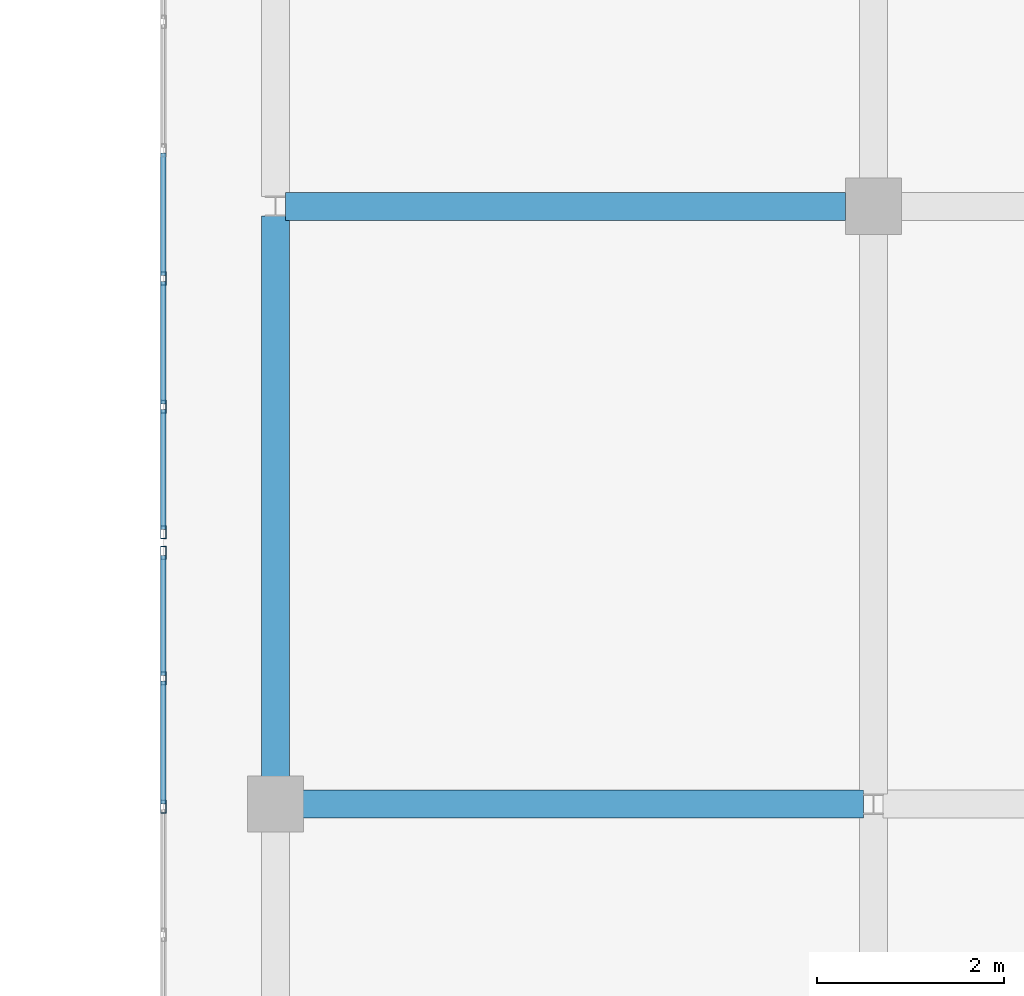
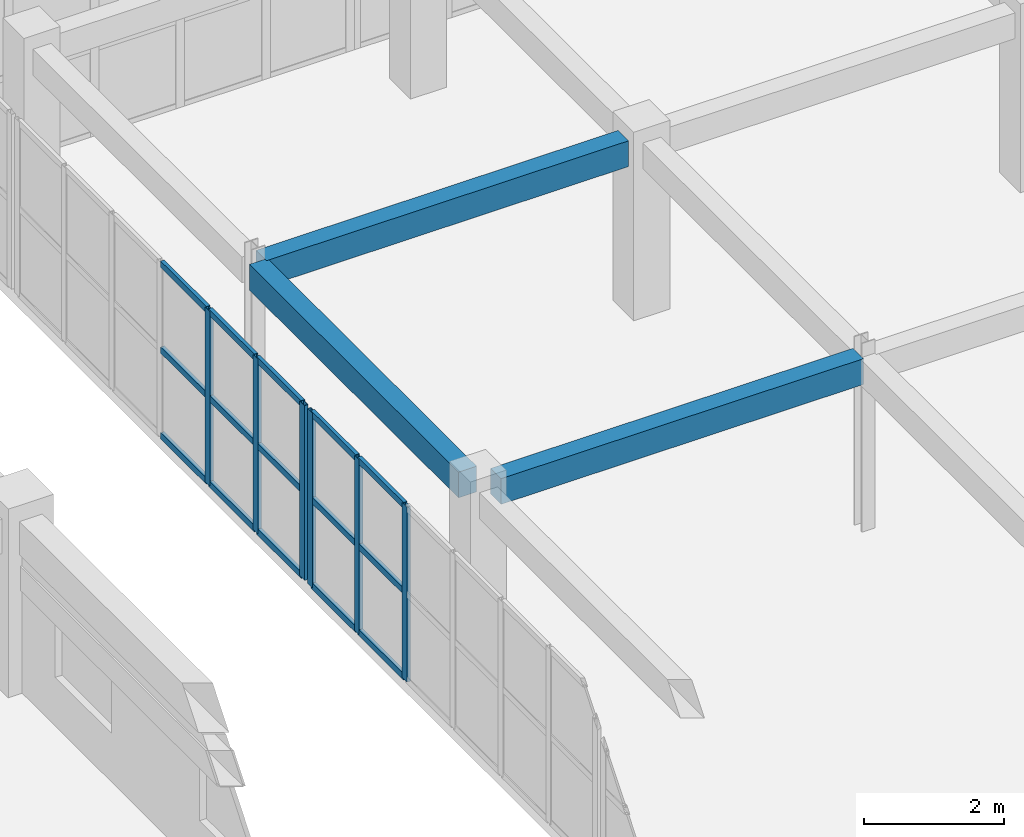
# One storey, part 83 of 200: 21 members, 3 beams, 2 elements without a shape of their own.
"""IFC4 building model written with IfcOpenShell, lengths in metres."""

from ifc_helpers import new_model, si_unit, direction, frame, origin, origin_2d, place, context, subcontext, project, spatial, rectangle, hollow_rectangle, extrude, material, layer, layer_set, material_profile, profile_set, type_object, element, aggregate, save


model = new_model("IFC4")

# Units and contexts
model_context = context("Model", 3, precision=1e-05, world=origin(), true_north=direction((0.0, 1.0)))
body_context = subcontext(model_context, "Body", "Model", "MODEL_VIEW")
ifc_project = project(units=[si_unit("LENGTHUNIT", "METRE"), si_unit("AREAUNIT", "SQUARE_METRE"), si_unit("VOLUMEUNIT", "CUBIC_METRE"), si_unit("PLANEANGLEUNIT", "RADIAN"), si_unit("MASSUNIT", "GRAM", prefix="KILO")], contexts=[model_context])

# Site, building, storey
site_placement = place(None, origin())
site = spatial("IfcSite", under=ifc_project, at=site_placement, CompositionType="ELEMENT")
building_placement = place(site_placement, origin())
building = spatial("IfcBuilding", under=site, at=building_placement, Name="Trelvath General Hospital", CompositionType="ELEMENT")
storey_placement = place(building_placement, frame((0.0, 0.0, 4.800048828125)))
storey = spatial("IfcBuildingStorey", under=building, at=storey_placement, Name="L01", CompositionType="ELEMENT", Elevation=4.800048828125)

# Beams
ifc_material_1 = material(Name="Concrete C35/45", Category="concrete")
ifc_material_profile_1 = material_profile(ifc_material_1, rectangle(XDim=0.300048828125, YDim=0.449951171875, at=origin_2d()), Name="RCB300x450")
ifc_profile_set_1 = profile_set([ifc_material_profile_1], Name="Concrete C35/45")
beam_type = type_object("IfcBeamType", Name="Beam RC300x450", PredefinedType="BEAM", material=ifc_profile_set_1)
for number, where, z_axis, x_axis, name in (
    (1, (48.2958984375, 72.800048828125, 2.8349609375), (1.0, 0.0, 0.0), (0.0, 1.0, 0.0), "Cube Interior Ring Beam CUBE-W-T0 L01"),
    (2, (48.10595703125, 79.199951171875, 2.8349609375), (1.0, 0.0, 0.0), (0.0, 1.0, 0.0), "Cube Interior Ring Beam CUBE-W-T0 L01"),
    (3, (48.0, 73.095947265625, 2.8349609375), (0.0, 1.0, 0.0), (-1.0, 0.0, 0.0), "Cube Interior Ring Beam CUBE-W-T0 L01"),
):
    element("IfcBeam", number, at=place(storey_placement, frame(where, z_axis=z_axis, x_axis=x_axis)), inside=storey, type_object=beam_type, Name=name, PredefinedType="BEAM", context=body_context, shape_type="SweptSolid", body=[
        extrude(rectangle(XDim=0.300048828125, YDim=0.449951171875, at=origin_2d()), origin(), (0.0, 0.0, 1.0), 5.998046875),
    ])

# Curtain wall, members
ifc_material_2 = material(Name="Anodised aluminium and low-E glass", Category="aluminium")
ifc_layer = layer(ifc_material_2, 0.14990234375)
ifc_layer_set = layer_set([ifc_layer], Name="Anodised aluminium and low-E glass")
curtain_wall_type = type_object("IfcCurtainWallType", Name="CW CrystalCube 824 306 15", PredefinedType="USERDEFINED", material=ifc_layer_set)
curtain_wall_1_placement = place(storey_placement, origin())
curtain_wall_1 = element("IfcCurtainWall", 4, at=curtain_wall_1_placement, inside=storey, type_object=curtain_wall_type, Name="Crystal Cube Curtain Wall CUBE-W-T0 W5 L01", ObjectType="Unitised Glazed Curtain Wall", PredefinedType="USERDEFINED")
ifc_material_3 = material(Name="Anodised aluminium", Category="aluminium")
ifc_material_profile_2 = material_profile(ifc_material_3, hollow_rectangle(XDim=0.06005859375, YDim=0.139892578125, WallThickness=0.00390625, at=origin_2d()), Name="RHS60x140x4")
ifc_profile_set_2 = profile_set([ifc_material_profile_2], Name="Anodised aluminium")
member_type_1 = type_object("IfcMemberType", Name="CurtainMullion 60x140", PredefinedType="MULLION", material=ifc_profile_set_2)
member_1_placement = place(storey_placement, frame((46.800048828125, 72.7734375, 0.0), z_axis=(0.0, 0.0, 1.0), x_axis=(-1.0, 0.0, 0.0)))
member_1 = element("IfcMember", 5, at=member_1_placement, type_object=member_type_1, Name="CW-144 mullion 5", PredefinedType="MULLION", context=body_context, shape_type="SweptSolid", body=[
    extrude(hollow_rectangle(XDim=0.06005859375, YDim=0.139892578125, WallThickness=0.00390625, at=origin_2d()), origin(), (0.0, 0.0, 1.0), 3.06005859375),
])
member_2_placement = place(storey_placement, frame((46.800048828125, 74.146728515625, 0.0), z_axis=(0.0, 0.0, 1.0), x_axis=(-1.0, 0.0, 0.0)))
member_2 = element("IfcMember", 6, at=member_2_placement, type_object=member_type_1, Name="CW-144 mullion 6", PredefinedType="MULLION", context=body_context, shape_type="SweptSolid", body=[
    extrude(hollow_rectangle(XDim=0.06005859375, YDim=0.139892578125, WallThickness=0.00390625, at=origin_2d()), origin(), (0.0, 0.0, 1.0), 3.06005859375),
])
member_3_placement = place(storey_placement, frame((46.800048828125, 75.489990234375, 0.0), z_axis=(0.0, 0.0, 1.0), x_axis=(-1.0, 0.0, 0.0)))
member_3 = element("IfcMember", 7, at=member_3_placement, type_object=member_type_1, Name="CW-144 mullion 7", PredefinedType="MULLION", context=body_context, shape_type="SweptSolid", body=[
    extrude(hollow_rectangle(XDim=0.06005859375, YDim=0.139892578125, WallThickness=0.00390625, at=origin_2d()), origin(), (0.0, 0.0, 1.0), 3.06005859375),
])

curtain_wall_2_placement = place(storey_placement, origin())
curtain_wall_2 = element("IfcCurtainWall", 8, at=curtain_wall_2_placement, inside=storey, type_object=curtain_wall_type, Name="Crystal Cube Curtain Wall CUBE-W-T0 W6 L01", ObjectType="Unitised Glazed Curtain Wall", PredefinedType="USERDEFINED")
member_4_placement = place(storey_placement, frame((46.800048828125, 75.7099609375, 0.0), z_axis=(0.0, 0.0, 1.0), x_axis=(-1.0, 0.0, 0.0)))
member_4 = element("IfcMember", 9, at=member_4_placement, type_object=member_type_1, Name="CW-146 mullion 1", PredefinedType="MULLION", context=body_context, shape_type="SweptSolid", body=[
    extrude(hollow_rectangle(XDim=0.06005859375, YDim=0.139892578125, WallThickness=0.00390625, at=origin_2d()), origin(), (0.0, 0.0, 1.0), 3.06005859375),
])
member_5_placement = place(storey_placement, frame((46.800048828125, 77.05322265625, 0.0), z_axis=(0.0, 0.0, 1.0), x_axis=(-1.0, 0.0, 0.0)))
member_5 = element("IfcMember", 10, at=member_5_placement, type_object=member_type_1, Name="CW-146 mullion 2", PredefinedType="MULLION", context=body_context, shape_type="SweptSolid", body=[
    extrude(hollow_rectangle(XDim=0.06005859375, YDim=0.139892578125, WallThickness=0.00390625, at=origin_2d()), origin(), (0.0, 0.0, 1.0), 3.06005859375),
])
member_6_placement = place(storey_placement, frame((46.800048828125, 78.4267578125, 0.0), z_axis=(0.0, 0.0, 1.0), x_axis=(-1.0, 0.0, 0.0)))
member_6 = element("IfcMember", 11, at=member_6_placement, type_object=member_type_1, Name="CW-146 mullion 3", PredefinedType="MULLION", context=body_context, shape_type="SweptSolid", body=[
    extrude(hollow_rectangle(XDim=0.06005859375, YDim=0.139892578125, WallThickness=0.00390625, at=origin_2d()), origin(), (0.0, 0.0, 1.0), 3.06005859375),
])

# Member
ifc_material_4 = material(Name="Anodised aluminium", Category="aluminium")
ifc_material_profile_3 = material_profile(ifc_material_4, hollow_rectangle(XDim=0.06005859375, YDim=0.110107421875, WallThickness=0.00390625, at=origin_2d()), Name="RHS60x110x4")
ifc_profile_set_3 = profile_set([ifc_material_profile_3], Name="Anodised aluminium")
member_type_2 = type_object("IfcMemberType", Name="CurtainTransom 60x110", PredefinedType="USERDEFINED", material=ifc_profile_set_3)
member_7_placement = place(storey_placement, frame((46.800048828125, 72.80322265625, 0.030029296875), z_axis=(0.0, 1.0, 0.0), x_axis=(-1.0, 0.0, 0.0)))
member_7 = element("IfcMember", 12, at=member_7_placement, type_object=member_type_2, Name="CW-144 transom 5.1", ObjectType="TRANSOM", PredefinedType="USERDEFINED", context=body_context, shape_type="SweptSolid", body=[
    extrude(hollow_rectangle(XDim=0.06005859375, YDim=0.110107421875, WallThickness=0.00390625, at=origin_2d()), origin(), (0.0, 0.0, 1.0), 1.3134765625),
])

member_8_placement = place(storey_placement, frame((46.800048828125, 72.80322265625, 1.530029296875), z_axis=(0.0, 1.0, 0.0), x_axis=(-1.0, 0.0, 0.0)))
member_8 = element("IfcMember", 13, at=member_8_placement, type_object=member_type_2, Name="CW-144 transom 5.2", ObjectType="TRANSOM", PredefinedType="USERDEFINED", context=body_context, shape_type="SweptSolid", body=[
    extrude(hollow_rectangle(XDim=0.06005859375, YDim=0.110107421875, WallThickness=0.00390625, at=origin_2d()), origin(), (0.0, 0.0, 1.0), 1.3134765625),
])

member_9_placement = place(storey_placement, frame((46.800048828125, 72.80322265625, 3.030029296875), z_axis=(0.0, 1.0, 0.0), x_axis=(-1.0, 0.0, 0.0)))
member_9 = element("IfcMember", 14, at=member_9_placement, type_object=member_type_2, Name="CW-144 transom 5.3", ObjectType="TRANSOM", PredefinedType="USERDEFINED", context=body_context, shape_type="SweptSolid", body=[
    extrude(hollow_rectangle(XDim=0.06005859375, YDim=0.110107421875, WallThickness=0.00390625, at=origin_2d()), origin(), (0.0, 0.0, 1.0), 1.3134765625),
])

member_10_placement = place(storey_placement, frame((46.800048828125, 74.1767578125, 0.030029296875), z_axis=(0.0, 1.0, 0.0), x_axis=(-1.0, 0.0, 0.0)))
member_10 = element("IfcMember", 15, at=member_10_placement, type_object=member_type_2, Name="CW-144 transom 6.1", ObjectType="TRANSOM", PredefinedType="USERDEFINED", context=body_context, shape_type="SweptSolid", body=[
    extrude(hollow_rectangle(XDim=0.06005859375, YDim=0.110107421875, WallThickness=0.00390625, at=origin_2d()), origin(), (0.0, 0.0, 1.0), 1.283203125),
])

member_11_placement = place(storey_placement, frame((46.800048828125, 74.1767578125, 1.530029296875), z_axis=(0.0, 1.0, 0.0), x_axis=(-1.0, 0.0, 0.0)))
member_11 = element("IfcMember", 16, at=member_11_placement, type_object=member_type_2, Name="CW-144 transom 6.2", ObjectType="TRANSOM", PredefinedType="USERDEFINED", context=body_context, shape_type="SweptSolid", body=[
    extrude(hollow_rectangle(XDim=0.06005859375, YDim=0.110107421875, WallThickness=0.00390625, at=origin_2d()), origin(), (0.0, 0.0, 1.0), 1.283203125),
])

member_12_placement = place(storey_placement, frame((46.800048828125, 74.1767578125, 3.030029296875), z_axis=(0.0, 1.0, 0.0), x_axis=(-1.0, 0.0, 0.0)))
member_12 = element("IfcMember", 17, at=member_12_placement, type_object=member_type_2, Name="CW-144 transom 6.3", ObjectType="TRANSOM", PredefinedType="USERDEFINED", context=body_context, shape_type="SweptSolid", body=[
    extrude(hollow_rectangle(XDim=0.06005859375, YDim=0.110107421875, WallThickness=0.00390625, at=origin_2d()), origin(), (0.0, 0.0, 1.0), 1.283203125),
])

aggregate(curtain_wall_1, [member_1, member_2, member_3, member_7, member_8, member_9, member_10, member_11, member_12])

member_13_placement = place(storey_placement, frame((46.800048828125, 75.739990234375, 0.030029296875), z_axis=(0.0, 1.0, 0.0), x_axis=(-1.0, 0.0, 0.0)))
member_13 = element("IfcMember", 18, at=member_13_placement, type_object=member_type_2, Name="CW-146 transom 1.1", ObjectType="TRANSOM", PredefinedType="USERDEFINED", context=body_context, shape_type="SweptSolid", body=[
    extrude(hollow_rectangle(XDim=0.06005859375, YDim=0.110107421875, WallThickness=0.00390625, at=origin_2d()), origin(), (0.0, 0.0, 1.0), 1.283447265625),
])

member_14_placement = place(storey_placement, frame((46.800048828125, 75.739990234375, 1.530029296875), z_axis=(0.0, 1.0, 0.0), x_axis=(-1.0, 0.0, 0.0)))
member_14 = element("IfcMember", 19, at=member_14_placement, type_object=member_type_2, Name="CW-146 transom 1.2", ObjectType="TRANSOM", PredefinedType="USERDEFINED", context=body_context, shape_type="SweptSolid", body=[
    extrude(hollow_rectangle(XDim=0.06005859375, YDim=0.110107421875, WallThickness=0.00390625, at=origin_2d()), origin(), (0.0, 0.0, 1.0), 1.283447265625),
])

member_15_placement = place(storey_placement, frame((46.800048828125, 75.739990234375, 3.030029296875), z_axis=(0.0, 1.0, 0.0), x_axis=(-1.0, 0.0, 0.0)))
member_15 = element("IfcMember", 20, at=member_15_placement, type_object=member_type_2, Name="CW-146 transom 1.3", ObjectType="TRANSOM", PredefinedType="USERDEFINED", context=body_context, shape_type="SweptSolid", body=[
    extrude(hollow_rectangle(XDim=0.06005859375, YDim=0.110107421875, WallThickness=0.00390625, at=origin_2d()), origin(), (0.0, 0.0, 1.0), 1.283447265625),
])

member_16_placement = place(storey_placement, frame((46.800048828125, 77.083251953125, 0.030029296875), z_axis=(0.0, 1.0, 0.0), x_axis=(-1.0, 0.0, 0.0)))
member_16 = element("IfcMember", 21, at=member_16_placement, type_object=member_type_2, Name="CW-146 transom 2.1", ObjectType="TRANSOM", PredefinedType="USERDEFINED", context=body_context, shape_type="SweptSolid", body=[
    extrude(hollow_rectangle(XDim=0.06005859375, YDim=0.110107421875, WallThickness=0.00390625, at=origin_2d()), origin(), (0.0, 0.0, 1.0), 1.3134765625),
])

member_17_placement = place(storey_placement, frame((46.800048828125, 77.083251953125, 1.530029296875), z_axis=(0.0, 1.0, 0.0), x_axis=(-1.0, 0.0, 0.0)))
member_17 = element("IfcMember", 22, at=member_17_placement, type_object=member_type_2, Name="CW-146 transom 2.2", ObjectType="TRANSOM", PredefinedType="USERDEFINED", context=body_context, shape_type="SweptSolid", body=[
    extrude(hollow_rectangle(XDim=0.06005859375, YDim=0.110107421875, WallThickness=0.00390625, at=origin_2d()), origin(), (0.0, 0.0, 1.0), 1.3134765625),
])

member_18_placement = place(storey_placement, frame((46.800048828125, 77.083251953125, 3.030029296875), z_axis=(0.0, 1.0, 0.0), x_axis=(-1.0, 0.0, 0.0)))
member_18 = element("IfcMember", 23, at=member_18_placement, type_object=member_type_2, Name="CW-146 transom 2.3", ObjectType="TRANSOM", PredefinedType="USERDEFINED", context=body_context, shape_type="SweptSolid", body=[
    extrude(hollow_rectangle(XDim=0.06005859375, YDim=0.110107421875, WallThickness=0.00390625, at=origin_2d()), origin(), (0.0, 0.0, 1.0), 1.3134765625),
])

member_19_placement = place(storey_placement, frame((46.800048828125, 78.456787109375, 0.030029296875), z_axis=(0.0, 1.0, 0.0), x_axis=(-1.0, 0.0, 0.0)))
member_19 = element("IfcMember", 24, at=member_19_placement, type_object=member_type_2, Name="CW-146 transom 3.1", ObjectType="TRANSOM", PredefinedType="USERDEFINED", context=body_context, shape_type="SweptSolid", body=[
    extrude(hollow_rectangle(XDim=0.06005859375, YDim=0.110107421875, WallThickness=0.00390625, at=origin_2d()), origin(), (0.0, 0.0, 1.0), 1.313232421875),
])

member_20_placement = place(storey_placement, frame((46.800048828125, 78.456787109375, 1.530029296875), z_axis=(0.0, 1.0, 0.0), x_axis=(-1.0, 0.0, 0.0)))
member_20 = element("IfcMember", 25, at=member_20_placement, type_object=member_type_2, Name="CW-146 transom 3.2", ObjectType="TRANSOM", PredefinedType="USERDEFINED", context=body_context, shape_type="SweptSolid", body=[
    extrude(hollow_rectangle(XDim=0.06005859375, YDim=0.110107421875, WallThickness=0.00390625, at=origin_2d()), origin(), (0.0, 0.0, 1.0), 1.313232421875),
])

member_21_placement = place(storey_placement, frame((46.800048828125, 78.456787109375, 3.030029296875), z_axis=(0.0, 1.0, 0.0), x_axis=(-1.0, 0.0, 0.0)))
member_21 = element("IfcMember", 26, at=member_21_placement, type_object=member_type_2, Name="CW-146 transom 3.3", ObjectType="TRANSOM", PredefinedType="USERDEFINED", context=body_context, shape_type="SweptSolid", body=[
    extrude(hollow_rectangle(XDim=0.06005859375, YDim=0.110107421875, WallThickness=0.00390625, at=origin_2d()), origin(), (0.0, 0.0, 1.0), 1.313232421875),
])

aggregate(curtain_wall_2, [member_4, member_5, member_6, member_13, member_14, member_15, member_16, member_17, member_18, member_19, member_20, member_21])

save(model, "model.ifc")
